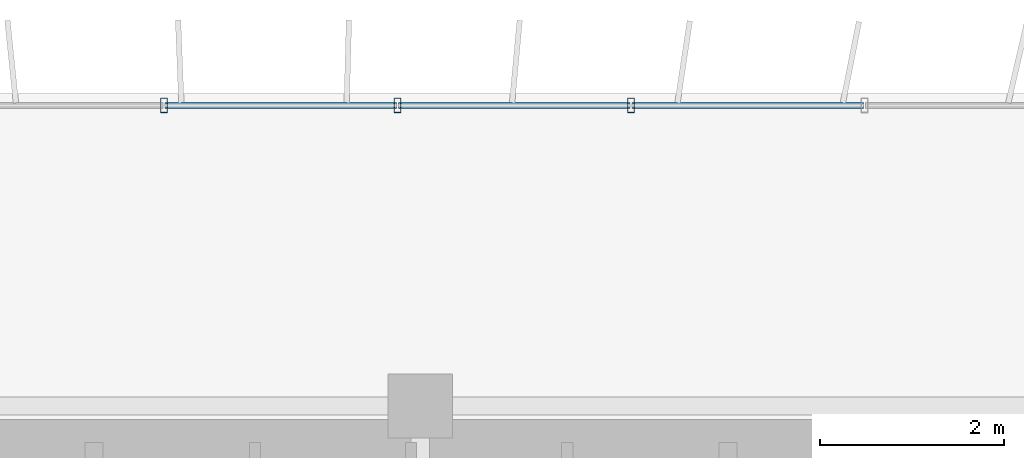
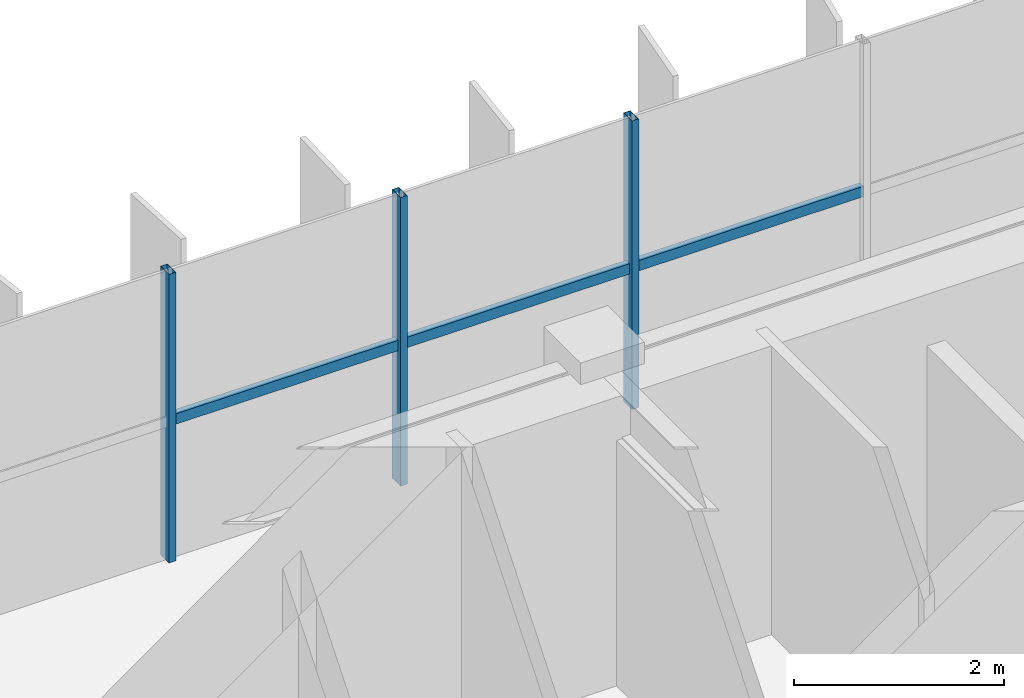
# One storey, part 9 of 20: 6 members, 1 element without a shape of its own.
"""IFC4 building model written with IfcOpenShell, lengths in metres."""

from ifc_helpers import new_model, si_unit, direction, frame, origin, origin_2d, place, context, subcontext, project, spatial, hollow_rectangle, extrude, source, transform, mapped, material, material_profile, profile_set, type_object, element, aggregate, save


model = new_model("IFC4")

# Units and contexts
model_context = context("Model", 3, precision=1e-05, world=origin(), true_north=direction((0.0, 1.0)))
body_context = subcontext(model_context, "Body", "Model", "MODEL_VIEW")
ifc_project = project(units=[si_unit("LENGTHUNIT", "METRE"), si_unit("AREAUNIT", "SQUARE_METRE"), si_unit("VOLUMEUNIT", "CUBIC_METRE"), si_unit("PLANEANGLEUNIT", "RADIAN"), si_unit("MASSUNIT", "GRAM", prefix="KILO")], contexts=[model_context])

# Site, building, storey
site_placement = place(None, origin())
site = spatial("IfcSite", under=ifc_project, at=site_placement, CompositionType="ELEMENT")
building_placement = place(site_placement, origin())
building = spatial("IfcBuilding", under=site, at=building_placement, Name="Trelvane Seafront Commons", CompositionType="ELEMENT")
storey_placement = place(building_placement, frame((0.0, 0.0, 168.10009765625)))
storey = spatial("IfcBuildingStorey", under=building, at=storey_placement, Name="L44", CompositionType="ELEMENT", Elevation=168.10009765625)

# Curtain wall, members
ifc_material = material(Name="Anodised pale-silver aluminium", Category="aluminium")
curtain_wall_type = type_object("IfcCurtainWallType", Name="ARCH-CW5-UPTOWER", PredefinedType="NOTDEFINED", material=ifc_material)
curtain_wall_placement = place(storey_placement, origin())
curtain_wall = element("IfcCurtainWall", 1, at=curtain_wall_placement, inside=storey, type_object=curtain_wall_type, Name="CW-L44-0071", PredefinedType="NOTDEFINED")
ifc_material_profile_1 = material_profile(ifc_material, hollow_rectangle(XDim=0.070068359375, YDim=0.1201171875, WallThickness=0.00390625, at=origin_2d()), Name="TRAN-70x120x4")
ifc_profile_set_1 = profile_set([ifc_material_profile_1], Name="Anodised pale-silver aluminium")
member_type_1 = type_object("IfcMemberType", Name="ARCH-CW-TRAN-120", PredefinedType="USERDEFINED", material=ifc_profile_set_1)
shared_shape_1 = source(origin(), body_context, "Body", "SweptSolid", [
    extrude(hollow_rectangle(XDim=0.070068359375, YDim=0.1201171875, WallThickness=0.00390625, at=origin_2d()), origin(), (0.0, 0.0, 1.0), 2.51708984375),
])
member_1_placement = place(storey_placement, frame((43.56494140625, 48.3701171875, 1.60791015625), z_axis=(1.0, 0.0, 0.0), x_axis=(0.0, 1.0, 0.0)))
member_1 = element("IfcMember", 2, at=member_1_placement, type_object=member_type_1, Name="CW-L44-0071-T11", ObjectType="TRANSOM", PredefinedType="USERDEFINED", context=body_context, shape_type="MappedRepresentation", body=[
    mapped(shared_shape_1, transform((0.0, 0.0, 0.0), x_axis=(1.0, 0.0, 0.0), y_axis=(0.0, 1.0, 0.0), z_axis=(0.0, 0.0, 1.0), scale=1.0)),
])
member_2_placement = place(storey_placement, frame((46.106201171875, 48.3701171875, 1.60791015625), z_axis=(1.0, 0.0, 0.0), x_axis=(0.0, 1.0, 0.0)))
member_2 = element("IfcMember", 3, at=member_2_placement, type_object=member_type_1, Name="CW-L44-0071-T12", ObjectType="TRANSOM", PredefinedType="USERDEFINED", context=body_context, shape_type="MappedRepresentation", body=[
    mapped(shared_shape_1, transform((0.0, 0.0, 0.0), x_axis=(1.0, 0.0, 0.0), y_axis=(0.0, 1.0, 0.0), z_axis=(0.0, 0.0, 1.0), scale=1.0)),
])
shared_shape_2 = source(origin(), body_context, "Body", "SweptSolid", [
    extrude(hollow_rectangle(XDim=0.070068359375, YDim=0.1201171875, WallThickness=0.00390625, at=origin_2d()), origin(), (0.0, 0.0, 1.0), 2.517333984375),
])
member_3_placement = place(storey_placement, frame((41.023681640625, 48.3701171875, 1.60791015625), z_axis=(1.0, 0.0, 0.0), x_axis=(0.0, 1.0, 0.0)))
member_3 = element("IfcMember", 4, at=member_3_placement, type_object=member_type_1, Name="CW-L44-0071-T10", ObjectType="TRANSOM", PredefinedType="USERDEFINED", context=body_context, shape_type="MappedRepresentation", body=[
    mapped(shared_shape_2, transform((0.0, 0.0, 0.0), x_axis=(1.0, 0.0, 0.0), y_axis=(0.0, 1.0, 0.0), z_axis=(0.0, 0.0, 1.0), scale=1.0)),
])
ifc_material_profile_2 = material_profile(ifc_material, hollow_rectangle(XDim=0.074951171875, YDim=0.159912109375, WallThickness=0.00390625, at=origin_2d()), Name="MULL-75x160x4")
ifc_profile_set_2 = profile_set([ifc_material_profile_2], Name="Anodised pale-silver aluminium")
member_type_2 = type_object("IfcMemberType", Name="ARCH-CW-MULL-160", PredefinedType="MULLION", material=ifc_profile_set_2)
shared_shape_3 = source(origin(), body_context, "Body", "SweptSolid", [
    extrude(hollow_rectangle(XDim=0.074951171875, YDim=0.159912109375, WallThickness=0.00390625, at=origin_2d()), origin(), (0.0, 0.0, 1.0), 3.349853515625),
])
member_4_placement = place(storey_placement, frame((41.01171875, 48.3701171875, 0.0), z_axis=(0.0, 0.0, 1.0), x_axis=(1.0, 0.0, 0.0)))
member_4 = element("IfcMember", 5, at=member_4_placement, type_object=member_type_2, Name="CW-L44-0071-M10", PredefinedType="MULLION", context=body_context, shape_type="MappedRepresentation", body=[
    mapped(shared_shape_3, transform((0.0, 0.0, 0.0), x_axis=(1.0, 0.0, 0.0), y_axis=(0.0, 1.0, 0.0), z_axis=(0.0, 0.0, 1.0), scale=1.0)),
])
member_5_placement = place(storey_placement, frame((43.552978515625, 48.3701171875, 0.0), z_axis=(0.0, 0.0, 1.0), x_axis=(1.0, 0.0, 0.0)))
member_5 = element("IfcMember", 6, at=member_5_placement, type_object=member_type_2, Name="CW-L44-0071-M11", PredefinedType="MULLION", context=body_context, shape_type="MappedRepresentation", body=[
    mapped(shared_shape_3, transform((0.0, 0.0, 0.0), x_axis=(1.0, 0.0, 0.0), y_axis=(0.0, 1.0, 0.0), z_axis=(0.0, 0.0, 1.0), scale=1.0)),
])
member_6_placement = place(storey_placement, frame((46.093994140625, 48.3701171875, 0.0), z_axis=(0.0, 0.0, 1.0), x_axis=(1.0, 0.0, 0.0)))
member_6 = element("IfcMember", 7, at=member_6_placement, type_object=member_type_2, Name="CW-L44-0071-M12", PredefinedType="MULLION", context=body_context, shape_type="MappedRepresentation", body=[
    mapped(shared_shape_3, transform((0.0, 0.0, 0.0), x_axis=(1.0, 0.0, 0.0), y_axis=(0.0, 1.0, 0.0), z_axis=(0.0, 0.0, 1.0), scale=1.0)),
])
aggregate(curtain_wall, [member_4, member_5, member_6, member_3, member_1, member_2])

save(model, "model.ifc")
